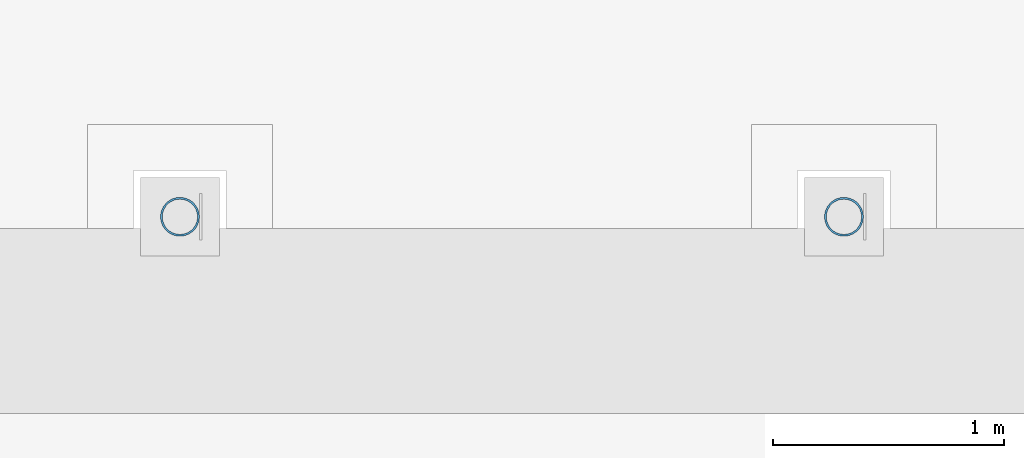
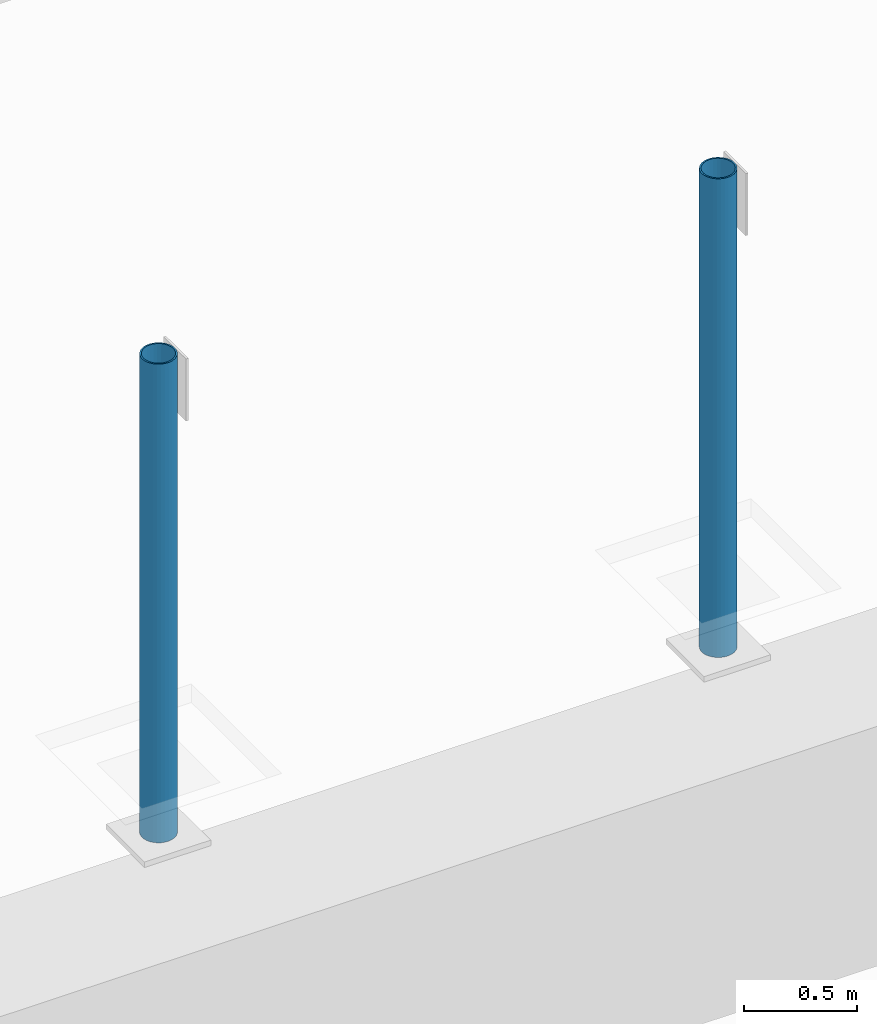
# One storey, part 3 of 47: 2 members.
"""IFC4 building model written with IfcOpenShell, lengths in metres."""

from ifc_helpers import new_model, si_unit, direction, frame, origin, origin_2d, place, context, subcontext, project, spatial, hollow_circle, extrude, material, material_profile, profile_set, type_object, element, save


model = new_model("IFC4")

# Units and contexts
model_context = context("Model", 3, precision=1e-05, world=origin(), true_north=direction((0.0, 1.0)))
body_context = subcontext(model_context, "Body", "Model", "MODEL_VIEW")
ifc_project = project(units=[si_unit("LENGTHUNIT", "METRE"), si_unit("AREAUNIT", "SQUARE_METRE"), si_unit("VOLUMEUNIT", "CUBIC_METRE"), si_unit("PLANEANGLEUNIT", "RADIAN"), si_unit("MASSUNIT", "GRAM", prefix="KILO")], contexts=[model_context])

# Site, building, storey
site_placement = place(None, origin())
site = spatial("IfcSite", under=ifc_project, at=site_placement, CompositionType="ELEMENT")
building_placement = place(site_placement, origin())
building = spatial("IfcBuilding", under=site, at=building_placement, Name="Larchfold Concert Hall", CompositionType="ELEMENT")
storey_placement = place(building_placement, frame((0.0, 0.0, 24.0)))
storey = spatial("IfcBuildingStorey", under=building, at=storey_placement, Name="L05", CompositionType="ELEMENT", Elevation=24.0)

# Members
ifc_material = material(Name="Steel S355J2H", Category="steel")
ifc_material_profile = material_profile(ifc_material, hollow_circle(Radius=0.084228515625, WallThickness=0.008056640625, at=origin_2d()))
ifc_profile_set = profile_set([ifc_material_profile], Name="Steel S355J2H")
member_type = type_object("IfcMemberType", Name="Truss post CHS 168.3x8", PredefinedType="POST", material=ifc_profile_set)
for number, where, z_axis, x_axis, name in (
    (1, (38.294921875, 68.25, 2.080078125), (0.0, 0.0, 1.0), (1.0, 0.0, 0.0), "Member TP004"),
    (2, (41.1650390625, 68.25, 2.080078125), (0.0, 0.0, 1.0), (1.0, 0.0, 0.0), "Member TP005"),
):
    element("IfcMember", number, at=place(storey_placement, frame(where, z_axis=z_axis, x_axis=x_axis)), inside=storey, type_object=member_type, Name=name, PredefinedType="POST", context=body_context, shape_type="SweptSolid", body=[
        extrude(hollow_circle(Radius=0.084228515625, WallThickness=0.008056640625, at=origin_2d()), origin(), (0.0, 0.0, 1.0), 2.594970703125),
    ])

save(model, "model.ifc")
